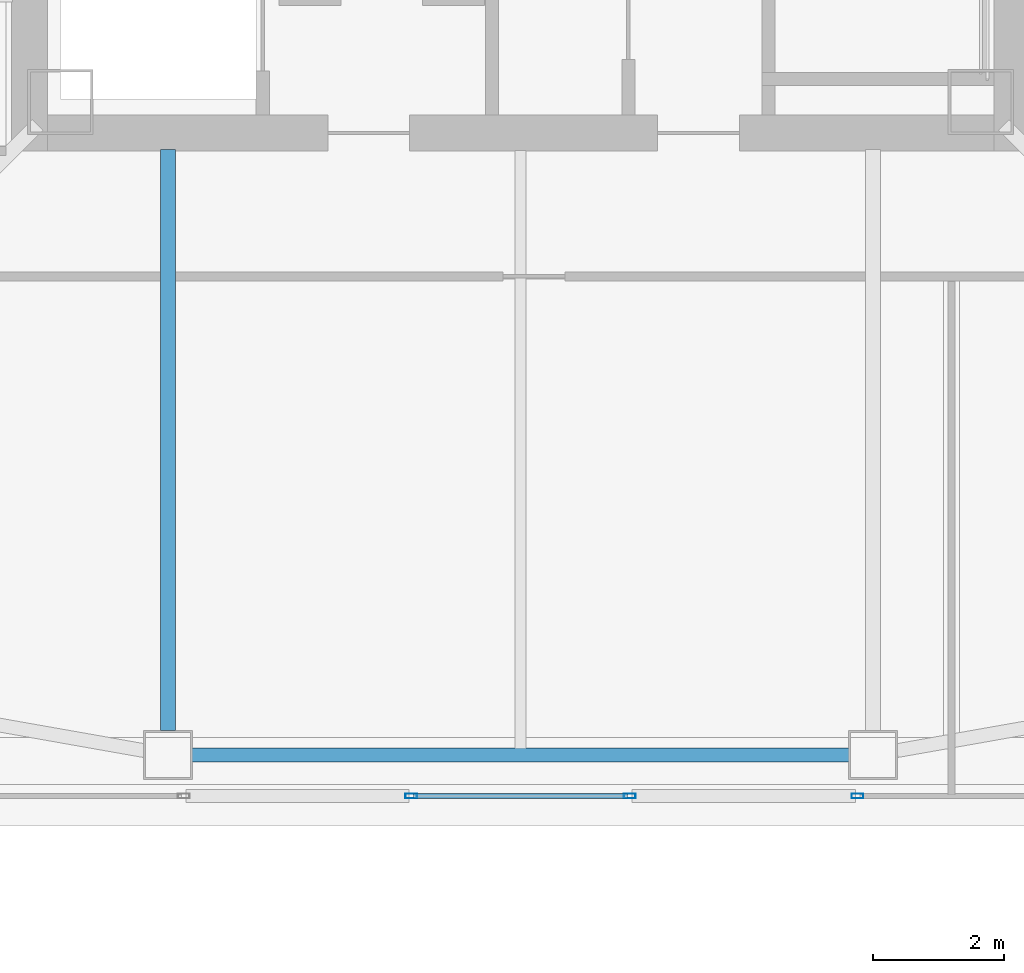
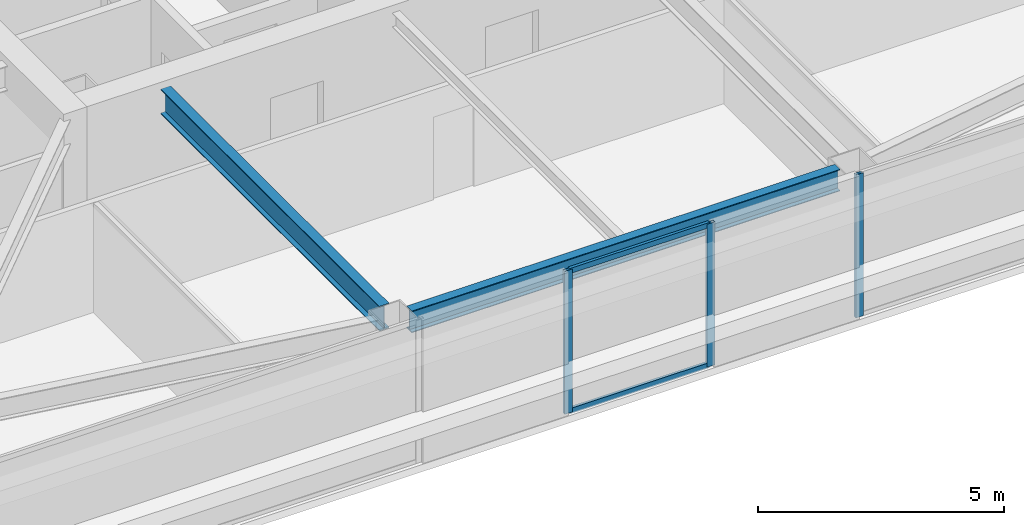
# One storey, part 5 of 43: 5 members, 2 beams, 2 elements without a shape of their own.
"""IFC4 building model written with IfcOpenShell, lengths in metres."""

import ifcopenshell
import ifcopenshell.guid

model = None  # the IFC model being written
_history = None  # IfcOwnerHistory: only IFC2X3 demands one
_inside = {}  # id of a spatial element -> (the spatial element, [elements in it])
_under = {}  # id of a project, library or spatial element -> (it, [spatial elements below it])
_declared = {}  # id of a project -> (the project, [libraries it declares])
_typed = {}  # id of a type object -> (the type object, [elements of that type])
_made_of = {}  # id of a material, layer set ... -> (it, [elements and type objects made of it])


def new_model(schema):
    """Start an empty IFC model of exactly this schema.

    Asked for "IFC4X3", IfcOpenShell would pick the latest addendum, in which some entities
    have other attributes; the version numbers below select the first issue.
    IFC2X3 requires an IfcOwnerHistory on every rooted entity: one is made here for all.
    """
    global model, _history
    if schema == "IFC4X3":
        model = ifcopenshell.file(schema_version=(4, 3, 0, 0))
    else:
        model = ifcopenshell.file(schema=schema)
    _inside.clear()
    _under.clear()
    _declared.clear()
    _typed.clear()
    _made_of.clear()
    _history = None
    if model.schema == "IFC2X3":
        org = make("IfcOrganization", Name="unknown")
        user = make(
            "IfcPersonAndOrganization",
            ThePerson=make("IfcPerson", FamilyName="unknown"),
            TheOrganization=org,
        )
        app = make(
            "IfcApplication",
            ApplicationDeveloper=org,
            Version="unknown",
            ApplicationFullName="unknown",
            ApplicationIdentifier="unknown",
        )
        _history = make(
            "IfcOwnerHistory",
            OwningUser=user,
            OwningApplication=app,
            ChangeAction="ADDED",
            CreationDate=0,
        )
    return model


def make(cls, **values):
    """One entity of the class cls with the attributes given. An attribute that is None is left unset."""
    return model.create_entity(
        cls, **{name: value for name, value in values.items() if value is not None}
    )


def rooted(cls, **values):
    """An entity with a GlobalId (a new one), such as an element, a storey or a relation."""
    return make(cls, GlobalId=ifcopenshell.guid.new(), OwnerHistory=_history, **values)


def si_unit(unit_type, name, prefix=None):
    """IfcSIUnit, for example si_unit("LENGTHUNIT", "METRE", prefix="MILLI")."""
    return make("IfcSIUnit", UnitType=unit_type, Prefix=prefix, Name=name)


def assignment(units):
    """IfcUnitAssignment: the units of a project."""
    return None if units is None else make("IfcUnitAssignment", Units=units)


def point(xyz):
    """IfcCartesianPoint."""
    return None if xyz is None else make("IfcCartesianPoint", Coordinates=xyz)


def direction(xyz):
    """IfcDirection."""
    return None if xyz is None else make("IfcDirection", DirectionRatios=xyz)


def frame(location, z_axis=None, x_axis=None):
    """IfcAxis2Placement3D, a coordinate frame: its origin and axes. An axis left out is left unset."""
    return make(
        "IfcAxis2Placement3D",
        Location=point(location),
        Axis=direction(z_axis),
        RefDirection=direction(x_axis),
    )


def frame_2d(location, x_axis=None):
    """IfcAxis2Placement2D, a coordinate frame in the plane: its origin and x axis."""
    return make(
        "IfcAxis2Placement2D", Location=point(location), RefDirection=direction(x_axis)
    )


def origin():
    """The frame at (0, 0, 0) with its axes left unset."""
    return frame((0.0, 0.0, 0.0))


def origin_2d():
    """The frame at (0, 0) in the plane with its x axis left unset."""
    return frame_2d((0.0, 0.0))


def place(relative_to, where):
    """IfcLocalPlacement: puts the frame where relative to a parent placement (None: the world)."""
    return make(
        "IfcLocalPlacement", PlacementRelTo=relative_to, RelativePlacement=where
    )


def context(
    kind, dimensions, precision=None, world=None, true_north=None, identifier=None
):
    """IfcGeometricRepresentationContext, for example the 3D "Model" context."""
    return make(
        "IfcGeometricRepresentationContext",
        ContextIdentifier=identifier,
        ContextType=kind,
        CoordinateSpaceDimension=dimensions,
        Precision=precision,
        WorldCoordinateSystem=world,
        TrueNorth=true_north,
    )


def subcontext(parent, identifier, kind, view, scale=None):
    """IfcGeometricRepresentationSubContext, for example "Body" below "Model"."""
    return make(
        "IfcGeometricRepresentationSubContext",
        ContextIdentifier=identifier,
        ContextType=kind,
        ParentContext=parent,
        TargetScale=scale,
        TargetView=view,
    )


def project(units=None, contexts=None):
    """IfcProject with its units and contexts."""
    return rooted(
        "IfcProject",
        Name="project",
        RepresentationContexts=contexts,
        UnitsInContext=assignment(units),
    )


def spatial(cls, under=None, at=None, **own):
    """A site, building, storey or space (cls), placed at a placement, below another one or the project."""
    s = rooted(cls, ObjectPlacement=at, **own)
    if under is not None:
        _under.setdefault(under.id(), (under, []))[1].append(s)
    return s


def profile(cls, at=None, kind="AREA", **sizes):
    """A parametric profile (cls). Its sizes go by their IFC names, for example OverallWidth=200.0."""
    return make(cls, ProfileType=kind, Position=at, **sizes)


def hollow_rectangle(**sizes):
    """IfcRectangleHollowProfileDef."""
    return profile("IfcRectangleHollowProfileDef", **sizes)


def i_section(**sizes):
    """IfcIShapeProfileDef."""
    return profile("IfcIShapeProfileDef", **sizes)


def extrude(swept, where, along, depth):
    """IfcExtrudedAreaSolid: the profile swept, set in the frame where, extruded along a direction by depth."""
    return make(
        "IfcExtrudedAreaSolid",
        SweptArea=swept,
        Position=where,
        ExtrudedDirection=direction(along),
        Depth=depth,
    )


def shape(context_of_items, identifier, shape_type, items):
    """IfcShapeRepresentation: the items that make up one representation, for example the "Body"."""
    return make(
        "IfcShapeRepresentation",
        ContextOfItems=context_of_items,
        RepresentationIdentifier=identifier,
        RepresentationType=shape_type,
        Items=items,
    )


def material(Name=None, Category=None):
    """IfcMaterial."""
    return make("IfcMaterial", Name=Name, Category=Category)


def material_profile(
    of_material, cross_section, Name=None, Category=None, Priority=None
):
    """IfcMaterialProfile: a cross section and its material."""
    return make(
        "IfcMaterialProfile",
        Name=Name,
        Material=of_material,
        Profile=cross_section,
        Priority=Priority,
        Category=Category,
    )


def profile_set(profiles, Name=None, composite=None):
    """IfcMaterialProfileSet."""
    return make(
        "IfcMaterialProfileSet",
        Name=Name,
        MaterialProfiles=profiles,
        CompositeProfile=composite,
    )


def made_of(thing, what):
    """Note that an element or type object is made of a material, layer set ...; save() writes the relation."""
    if what is not None:
        _made_of.setdefault(what.id(), (what, []))[1].append(thing)
    return thing


def type_object(cls, material=None, **own):
    """A type object (cls), such as IfcWallType, which elements share."""
    return made_of(rooted(cls, **own), material)


def element(
    cls,
    number,
    at=None,
    inside=None,
    cuts=None,
    type_object=None,
    material=None,
    context=None,
    identifier="Body",
    shape_type=None,
    held_by="IfcProductDefinitionShape",
    body=None,
    shapes=None,
    **own,
):
    """One element of the class cls, such as IfcWall. Its Tag is "e" and its number.

    at: its placement. inside: the storey or other place that contains it. cuts: it is an
    opening in that element (IfcRelVoidsElement). A single representation is given by context,
    identifier, shape_type and body (its items); several are given by shapes. held_by: the class
    of the entity that holds the representations. save() writes the other relations.
    """
    e = rooted(cls, Tag="e%d" % number, ObjectPlacement=at, **own)
    if body is not None:
        shapes = [shape(context, identifier, shape_type, body)]
    if shapes is not None:
        e.Representation = make(held_by, Representations=shapes)
    if inside is not None:
        _inside.setdefault(inside.id(), (inside, []))[1].append(e)
    if cuts is not None:
        rooted(
            "IfcRelVoidsElement", RelatingBuildingElement=cuts, RelatedOpeningElement=e
        )
    if type_object is not None:
        _typed.setdefault(type_object.id(), (type_object, []))[1].append(e)
    return made_of(e, material)


def aggregate(whole, parts):
    """IfcRelAggregates: a whole, such as a stair, and the parts it consists of."""
    return rooted("IfcRelAggregates", RelatingObject=whole, RelatedObjects=parts)


def save(model, path):
    """Write the relations noted so far, then the file.

    IfcRelAggregates (storeys below a building ...), IfcRelContainedInSpatialStructure (elements
    in a storey), IfcRelDefinesByType, IfcRelAssociatesMaterial and IfcRelDeclares: one each for
    every whole, place, type object, material and project.
    """
    for whole, parts in _under.values():
        aggregate(whole, parts)
    for where, things in _inside.values():
        rooted(
            "IfcRelContainedInSpatialStructure",
            RelatedElements=things,
            RelatingStructure=where,
        )
    for kind, things in _typed.values():
        rooted("IfcRelDefinesByType", RelatedObjects=things, RelatingType=kind)
    for what, things in _made_of.values():
        rooted("IfcRelAssociatesMaterial", RelatedObjects=things, RelatingMaterial=what)
    for by, libraries in _declared.values():
        rooted("IfcRelDeclares", RelatingContext=by, RelatedDefinitions=libraries)
    model.write(path)


model = new_model("IFC4")

# Units and contexts
model_context = context("Model", 3, precision=1e-05, world=origin(), true_north=direction((0.0, 1.0)))
body_context = subcontext(model_context, "Body", "Model", "MODEL_VIEW")
ifc_project = project(units=[si_unit("LENGTHUNIT", "METRE"), si_unit("AREAUNIT", "SQUARE_METRE"), si_unit("VOLUMEUNIT", "CUBIC_METRE"), si_unit("PLANEANGLEUNIT", "RADIAN"), si_unit("MASSUNIT", "GRAM", prefix="KILO")], contexts=[model_context])

# Site, building, storey
site_placement = place(None, origin())
site = spatial("IfcSite", under=ifc_project, at=site_placement, CompositionType="ELEMENT")
building_placement = place(site_placement, origin())
building = spatial("IfcBuilding", under=site, at=building_placement, Name="Tashvorn Skyway Center", CompositionType="ELEMENT")
storey_placement = place(building_placement, frame((0.0, 0.0, 188.949951171875)))
storey = spatial("IfcBuildingStorey", under=building, at=storey_placement, Name="L51", CompositionType="ELEMENT", Elevation=188.949951171875)

# Beams
ifc_material_1 = material(Name="Steel ASTM A992 Grade 50", Category="steel")
ifc_material_profile_1 = material_profile(ifc_material_1, i_section(OverallWidth=0.22998046875, OverallDepth=0.616943359375, WebThickness=0.01318359375, FlangeThickness=0.022216796875, at=origin_2d()), Name="W24X94")
ifc_profile_set_1 = profile_set([ifc_material_profile_1], Name="Steel ASTM A992 Grade 50")
beam_type_1 = type_object("IfcBeamType", Name="BM-BEAM-W24X94", PredefinedType="BEAM", material=ifc_profile_set_1)
beam_1_placement = place(storey_placement, frame((36.60009765625, 15.320068359375, 3.0615234375), z_axis=(0.0, 1.0, 0.0), x_axis=(-1.0, 0.0, 0.0)))
element("IfcBeam", 1, at=beam_1_placement, inside=storey, type_object=beam_type_1, Name="Tower 1 L51 Primary Floor Girder FC-S1", PredefinedType="BEAM", context=body_context, shape_type="SweptSolid", body=[
    extrude(i_section(OverallWidth=0.22998046875, OverallDepth=0.616943359375, WebThickness=0.01318359375, FlangeThickness=0.022216796875, at=origin_2d()), origin(), (0.0, 0.0, 1.0), 8.89990234375),
])
ifc_material_profile_2 = material_profile(ifc_material_1, i_section(OverallWidth=0.2109375, OverallDepth=0.5390625, WebThickness=0.01171875, FlangeThickness=0.018798828125, at=origin_2d()), Name="W21X73")
ifc_profile_set_2 = profile_set([ifc_material_profile_2], Name="Steel ASTM A992 Grade 50")
beam_type_2 = type_object("IfcBeamType", Name="BM-SPANDREL-W21X73", PredefinedType="SPANDREL", material=ifc_profile_set_2)
beam_2_placement = place(storey_placement, frame((36.969970703125, 14.949951171875, 3.1005859375), z_axis=(1.0, 0.0, 0.0), x_axis=(0.0, 1.0, 0.0)))
element("IfcBeam", 2, at=beam_2_placement, inside=storey, type_object=beam_type_2, Name="Tower 1 L51 Spandrel Beam 02", PredefinedType="SPANDREL", context=body_context, shape_type="SweptSolid", body=[
    extrude(i_section(OverallWidth=0.2109375, OverallDepth=0.5390625, WebThickness=0.01171875, FlangeThickness=0.018798828125, at=origin_2d()), origin(), (0.0, 0.0, 1.0), 10.06005859375),
])

# Curtain wall, member
ifc_material_2 = material(Name="Thermally broken bronze-anodized aluminium 6063-T6", Category="aluminium")
curtain_wall_type = type_object("IfcCurtainWallType", Name="CW-CW-Z4", PredefinedType="NOTDEFINED", material=ifc_material_2)
curtain_wall_1_placement = place(storey_placement, origin())
curtain_wall_1 = element("IfcCurtainWall", 3, at=curtain_wall_1_placement, inside=storey, type_object=curtain_wall_type, Name="Tower 1 L51 South Unitised Curtain Wall Glazing Group 1", PredefinedType="NOTDEFINED")
ifc_material_profile_3 = material_profile(ifc_material_2, hollow_rectangle(XDim=0.070068359375, YDim=0.179931640625, WallThickness=0.00390625, at=origin_2d()), Name="ALU-MULL-70x180")
ifc_profile_set_3 = profile_set([ifc_material_profile_3], Name="Thermally broken bronze-anodized aluminium 6063-T6")
member_type_1 = type_object("IfcMemberType", Name="CWM-CW-Z4", PredefinedType="MULLION", material=ifc_profile_set_3)
member_1_placement = place(storey_placement, frame((47.16162109375, 14.320068359375, 0.0), z_axis=(0.0, 0.0, 1.0), x_axis=(0.0, -1.0, 0.0)))
member_1 = element("IfcMember", 4, at=member_1_placement, type_object=member_type_1, Name="CW-Z4 mullion 2", PredefinedType="MULLION", context=body_context, shape_type="SweptSolid", body=[
    extrude(hollow_rectangle(XDim=0.070068359375, YDim=0.179931640625, WallThickness=0.00390625, at=origin_2d()), origin(), (0.0, 0.0, 1.0), 3.550048828125),
])
aggregate(curtain_wall_1, [member_1])

# Curtain wall, members
curtain_wall_2_placement = place(storey_placement, origin())
curtain_wall_2 = element("IfcCurtainWall", 5, at=curtain_wall_2_placement, inside=storey, type_object=curtain_wall_type, Name="Tower 1 L51 South Unitised Curtain Wall Glazing Group 2", PredefinedType="NOTDEFINED")
member_2_placement = place(storey_placement, frame((43.673828125, 14.320068359375, 0.0), z_axis=(0.0, 0.0, 1.0), x_axis=(0.0, -1.0, 0.0)))
member_2 = element("IfcMember", 6, at=member_2_placement, type_object=member_type_1, Name="CW-Z4 mullion 1", PredefinedType="MULLION", context=body_context, shape_type="SweptSolid", body=[
    extrude(hollow_rectangle(XDim=0.070068359375, YDim=0.179931640625, WallThickness=0.00390625, at=origin_2d()), origin(), (0.0, 0.0, 1.0), 3.550048828125),
])
member_3_placement = place(storey_placement, frame((40.326171875, 14.320068359375, 0.0), z_axis=(0.0, 0.0, 1.0), x_axis=(0.0, -1.0, 0.0)))
member_3 = element("IfcMember", 7, at=member_3_placement, type_object=member_type_1, Name="CW-Z4 mullion 2", PredefinedType="MULLION", context=body_context, shape_type="SweptSolid", body=[
    extrude(hollow_rectangle(XDim=0.070068359375, YDim=0.179931640625, WallThickness=0.00390625, at=origin_2d()), origin(), (0.0, 0.0, 1.0), 3.550048828125),
])
ifc_material_profile_4 = material_profile(ifc_material_2, hollow_rectangle(XDim=0.070068359375, YDim=0.1298828125, WallThickness=0.00390625, at=origin_2d()), Name="ALU-TRAN-70x130")
ifc_profile_set_4 = profile_set([ifc_material_profile_4], Name="Thermally broken bronze-anodized aluminium 6063-T6")
member_type_2 = type_object("IfcMemberType", Name="CWT-CW-Z4", PredefinedType="USERDEFINED", material=ifc_profile_set_4)
member_4_placement = place(storey_placement, frame((43.638916015625, 14.320068359375, 0.03515625), z_axis=(-1.0, 0.0, 0.0), x_axis=(0.0, -1.0, 0.0)))
member_4 = element("IfcMember", 8, at=member_4_placement, type_object=member_type_2, Name="CW-Z4 transom 1.1", ObjectType="TRANSOM", PredefinedType="USERDEFINED", context=body_context, shape_type="SweptSolid", body=[
    extrude(hollow_rectangle(XDim=0.070068359375, YDim=0.1298828125, WallThickness=0.00390625, at=origin_2d()), origin(), (0.0, 0.0, 1.0), 3.27783203125),
])
member_5_placement = place(storey_placement, frame((43.638916015625, 14.320068359375, 3.51513671875), z_axis=(-1.0, 0.0, 0.0), x_axis=(0.0, -1.0, 0.0)))
member_5 = element("IfcMember", 9, at=member_5_placement, type_object=member_type_2, Name="CW-Z4 transom 1.2", ObjectType="TRANSOM", PredefinedType="USERDEFINED", context=body_context, shape_type="SweptSolid", body=[
    extrude(hollow_rectangle(XDim=0.070068359375, YDim=0.1298828125, WallThickness=0.00390625, at=origin_2d()), origin(), (0.0, 0.0, 1.0), 3.27783203125),
])
aggregate(curtain_wall_2, [member_2, member_3, member_4, member_5])

save(model, "model.ifc")
